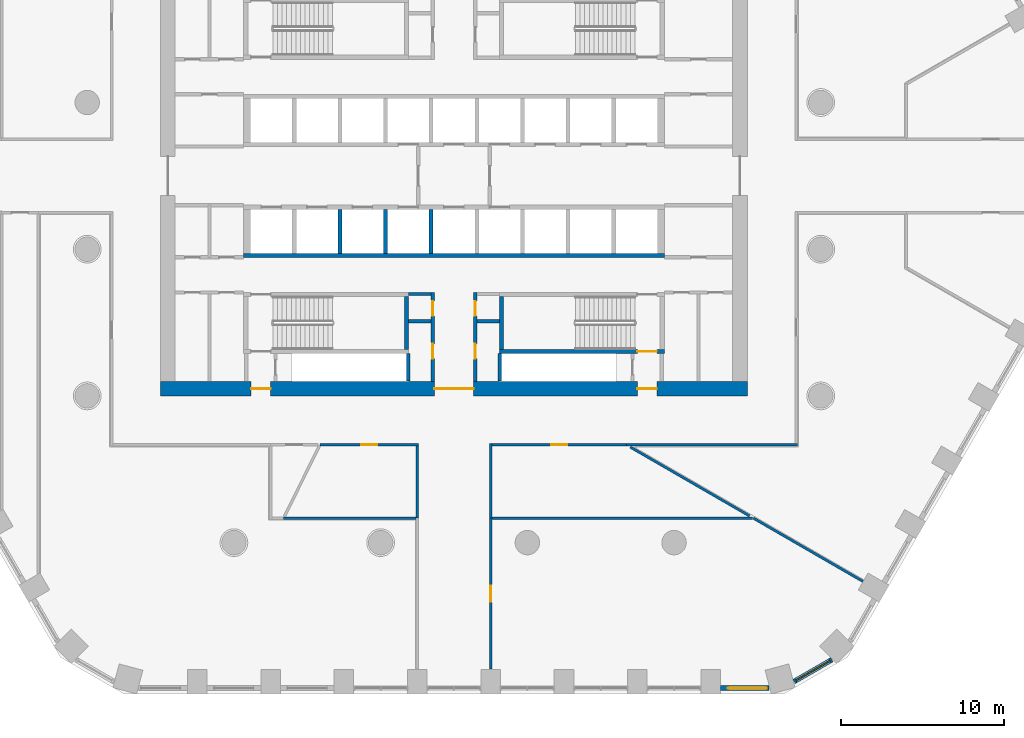
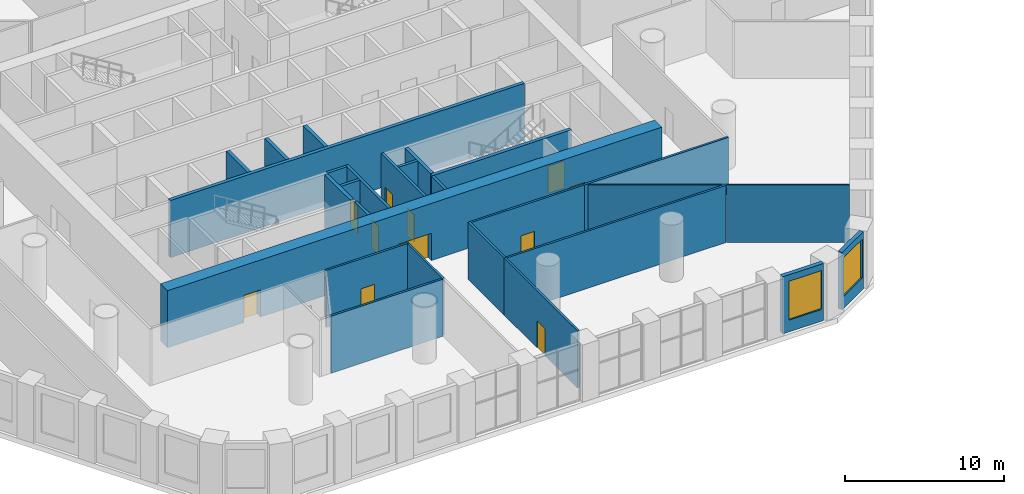
# One storey, part 8 of 21: 27 walls, 11 doors, 2 windows, 13 openings.
"""IFC4 building model written with IfcOpenShell, lengths in metres."""

from ifc_helpers import new_model, si_unit, direction, frame, frame_2d, origin, place, context, subcontext, project, spatial, polyline, rectangle, outline, extrude, material, layer, layer_set, type_object, element, fill, save


model = new_model("IFC4")

# Units and contexts
model_context = context("Model", 3, precision=1e-05, world=origin(), true_north=direction((0.0, 1.0)))
body_context = subcontext(model_context, "Body", "Model", "MODEL_VIEW")
ifc_project = project(units=[si_unit("LENGTHUNIT", "METRE"), si_unit("AREAUNIT", "SQUARE_METRE"), si_unit("VOLUMEUNIT", "CUBIC_METRE"), si_unit("PLANEANGLEUNIT", "RADIAN"), si_unit("MASSUNIT", "GRAM", prefix="KILO")], contexts=[model_context])

# Site, building, storey
site_placement = place(None, origin())
site = spatial("IfcSite", under=ifc_project, at=site_placement, CompositionType="ELEMENT")
building_placement = place(site_placement, origin())
building = spatial("IfcBuilding", under=site, at=building_placement, Name="Dhurran Vertical Campus", CompositionType="ELEMENT")
storey_placement = place(building_placement, frame((0.0, 0.0, 20.39990234375)))
storey = spatial("IfcBuildingStorey", under=building, at=storey_placement, Name="L04", CompositionType="ELEMENT", Elevation=20.39990234375)

# Wall, opening, window
ifc_material_1 = material(Name="Precast concrete C50/60", Category="concrete")
ifc_layer_1 = layer(ifc_material_1, 0.300048828125)
ifc_layer_set_1 = layer_set([ifc_layer_1], Name="Precast concrete C50/60")
wall_type_1 = type_object("IfcWallType", Name="Precast spandrel wall 300", PredefinedType="SOLIDWALL", material=ifc_layer_set_1)
wall_1_placement = place(storey_placement, frame((16.3505859375, -31.4296875, 0.0), z_axis=(0.0, 0.0, 1.0), x_axis=(1.0, 0.0, 0.0)))
wall_1 = element("IfcWall", 1, at=wall_1_placement, inside=storey, type_object=wall_type_1, Name="EW1 L04.08", PredefinedType="SOLIDWALL", context=body_context, shape_type="SweptSolid", body=[
    extrude(rectangle(XDim=2.98876953125, YDim=0.300048828125, at=frame_2d((1.494384765625, 0.0))), origin(), (0.0, 0.0, 1.0), 4.400146484375),
])
opening_1_placement = place(wall_1_placement, frame((0.449462890625, 0.0, 0.89990234375)))
opening_1 = element("IfcOpeningElement", 2, at=opening_1_placement, cuts=wall_1, Name="Opening WT2", PredefinedType="OPENING", context=body_context, shape_type="SweptSolid", body=[
    extrude(rectangle(XDim=2.39990234375, YDim=3.0, at=frame_2d((1.199951171875, 1.5))), frame((0.0, 0.159912109375, 0.0), z_axis=(0.0, -1.0, 0.0), x_axis=(1.0, 0.0, 0.0)), (0.0, 0.0, 1.0), 0.320068359375),
])
ifc_material_2 = material(Name="Aluminium frame with solar-control glass", Category="aluminium")
window_type = type_object("IfcWindowType", Name="Podium window 2400 x 3000", PartitioningType="SINGLE_PANEL", PredefinedType="WINDOW", material=ifc_material_2)
window_1_placement = place(opening_1_placement, origin())
window_1 = element("IfcWindow", 3, at=window_1_placement, inside=storey, type_object=window_type, Name="WT2 L04.08", OverallHeight=3.0, OverallWidth=2.39990234375, PartitioningType="SINGLE_PANEL", PredefinedType="WINDOW", context=body_context, shape_type="SweptSolid", body=[
    extrude(rectangle(XDim=2.39990234375, YDim=3.0, at=frame_2d((1.199951171875, 1.5))), frame((0.0, 0.030029296875, 0.0), z_axis=(0.0, -1.0, 0.0), x_axis=(1.0, 0.0, 0.0)), (0.0, 0.0, 1.0), 0.06005859375),
])
fill(opening_1, window_1)

wall_2_placement = place(storey_placement, frame((20.86376953125, -31.021240234375, 0.0), z_axis=(0.0, 0.0, 1.0), x_axis=(0.866001915448, 0.500040680786, 0.0)))
wall_2 = element("IfcWall", 4, at=wall_2_placement, inside=storey, type_object=wall_type_1, Name="EW1 L04.09", PredefinedType="SOLIDWALL", context=body_context, shape_type="SweptSolid", body=[
    extrude(rectangle(XDim=2.678466796875, YDim=0.300048828125, at=frame_2d((1.33935546875, 0.0))), origin(), (0.0, 0.0, 1.0), 4.400146484375),
])
opening_2_placement = place(wall_2_placement, frame((0.139404296875, 0.0, 0.89990234375)))
opening_2 = element("IfcOpeningElement", 5, at=opening_2_placement, cuts=wall_2, Name="Opening WT2", PredefinedType="OPENING", context=body_context, shape_type="SweptSolid", body=[
    extrude(rectangle(XDim=2.39990234375, YDim=3.0, at=frame_2d((1.199951171875, 1.5))), frame((0.0, 0.159912109375, 0.0), z_axis=(0.0, -1.0, 0.0), x_axis=(1.0, 0.0, 0.0)), (0.0, 0.0, 1.0), 0.320068359375),
])
window_2_placement = place(opening_2_placement, origin())
window_2 = element("IfcWindow", 6, at=window_2_placement, inside=storey, type_object=window_type, Name="WT2 L04.09", OverallHeight=3.0, OverallWidth=2.39990234375, PartitioningType="SINGLE_PANEL", PredefinedType="WINDOW", context=body_context, shape_type="SweptSolid", body=[
    extrude(rectangle(XDim=2.39990234375, YDim=3.0, at=frame_2d((1.199951171875, 1.5))), frame((0.0, 0.030029296875, 0.0), z_axis=(0.0, -1.0, 0.0), x_axis=(1.0, 0.0, 0.0)), (0.0, 0.0, 1.0), 0.06005859375),
])
fill(opening_2, window_2)

# Wall, openings, doors
ifc_material_3 = material(Name="Concrete C60/75", Category="concrete")
ifc_layer_2 = layer(ifc_material_3, 0.89990234375)
ifc_layer_set_2 = layer_set([ifc_layer_2], Name="Concrete C60/75")
wall_type_2 = type_object("IfcWallType", Name="co-CORE-WALL-C0-900", PredefinedType="SHEAR", material=ifc_layer_set_2)
wall_3_placement = place(storey_placement, frame((-18.0, -13.050048828125, 0.0), z_axis=(0.0, 0.0, 1.0), x_axis=(1.0, 0.0, 0.0)))
wall_3 = element("IfcWall", 7, at=wall_3_placement, inside=storey, type_object=wall_type_2, Name="Core wall S L04", PredefinedType="SHEAR", context=body_context, shape_type="SweptSolid", body=[
    extrude(rectangle(XDim=36.0, YDim=0.89990234375, at=frame_2d((18.0, 0.0))), origin(), (0.0, 0.0, 1.0), 4.400146484375),
])
opening_3_placement = place(wall_3_placement, frame((16.800048828125, 0.0, 0.0)))
opening_3 = element("IfcOpeningElement", 8, at=opening_3_placement, cuts=wall_3, Name="Opening CV2", PredefinedType="OPENING", context=body_context, shape_type="SweptSolid", body=[
    extrude(rectangle(XDim=2.39990234375, YDim=2.10009765625, at=frame_2d((1.199951171875, 1.050048828125))), frame((0.0, 0.4599609375, 0.0), z_axis=(0.0, -1.0, 0.0), x_axis=(1.0, 0.0, 0.0)), (0.0, 0.0, 1.0), 0.919921875),
])
opening_4_placement = place(wall_3_placement, frame((5.550048828125, 0.0, 0.0)))
opening_4 = element("IfcOpeningElement", 9, at=opening_4_placement, cuts=wall_3, Name="Opening XD3", PredefinedType="OPENING", context=body_context, shape_type="SweptSolid", body=[
    extrude(rectangle(XDim=1.199951171875, YDim=2.10009765625, at=frame_2d((0.60009765625, 1.050048828125))), frame((0.0, 0.4599609375, 0.0), z_axis=(0.0, -1.0, 0.0), x_axis=(1.0, 0.0, 0.0)), (0.0, 0.0, 1.0), 0.919921875),
])
opening_5_placement = place(wall_3_placement, frame((29.25, 0.0, 0.0)))
opening_5 = element("IfcOpeningElement", 10, at=opening_5_placement, cuts=wall_3, Name="Opening XD4", PredefinedType="OPENING", context=body_context, shape_type="SweptSolid", body=[
    extrude(rectangle(XDim=1.199951171875, YDim=2.10009765625, at=frame_2d((0.60009765625, 1.050048828125))), frame((0.0, 0.4599609375, 0.0), z_axis=(0.0, -1.0, 0.0), x_axis=(1.0, 0.0, 0.0)), (0.0, 0.0, 1.0), 0.919921875),
])
ifc_material_4 = material(Name="Fire-rated glazed door set")
door_type_1 = type_object("IfcDoorType", Name="co-D-LOBBY 2400x2100", OperationType="DOUBLE_DOOR_DOUBLE_SWING", PredefinedType="DOOR", material=ifc_material_4)
door_1_placement = place(opening_3_placement, origin())
door_1 = element("IfcDoor", 11, at=door_1_placement, inside=storey, type_object=door_type_1, Name="Core vestibule door S L04", OperationType="DOUBLE_DOOR_DOUBLE_SWING", OverallHeight=2.10009765625, OverallWidth=2.39990234375, PredefinedType="DOOR", context=body_context, shape_type="SweptSolid", body=[
    extrude(rectangle(XDim=2.39990234375, YDim=2.10009765625, at=frame_2d((1.199951171875, 1.050048828125))), frame((0.0, 0.02490234375, 0.0), z_axis=(0.0, -1.0, 0.0), x_axis=(1.0, 0.0, 0.0)), (0.0, 0.0, 1.0), 0.050048828125),
])
fill(opening_3, door_1)
ifc_material_5 = material(Name="Fire-rated steel door set", Category="steel")
door_type_2 = type_object("IfcDoorType", Name="co-D-STAIR-EXIT 1200x2100", OperationType="SINGLE_SWING_RIGHT", PredefinedType="DOOR", material=ifc_material_5)
door_2_placement = place(opening_4_placement, origin())
door_2 = element("IfcDoor", 12, at=door_2_placement, inside=storey, type_object=door_type_2, Name="Stair ST3 exit door L04", OperationType="SINGLE_SWING_RIGHT", OverallHeight=2.10009765625, OverallWidth=1.199951171875, PredefinedType="DOOR", context=body_context, shape_type="SweptSolid", body=[
    extrude(rectangle(XDim=1.199951171875, YDim=2.10009765625, at=frame_2d((0.60009765625, 1.050048828125))), frame((0.0, 0.02490234375, 0.0), z_axis=(0.0, -1.0, 0.0), x_axis=(1.0, 0.0, 0.0)), (0.0, 0.0, 1.0), 0.050048828125),
])
fill(opening_4, door_2)
door_3_placement = place(opening_5_placement, origin())
door_3 = element("IfcDoor", 13, at=door_3_placement, inside=storey, type_object=door_type_2, Name="Stair ST4 exit door L04", OperationType="SINGLE_SWING_RIGHT", OverallHeight=2.10009765625, OverallWidth=1.199951171875, PredefinedType="DOOR", context=body_context, shape_type="SweptSolid", body=[
    extrude(rectangle(XDim=1.199951171875, YDim=2.10009765625, at=frame_2d((0.60009765625, 1.050048828125))), frame((0.0, 0.02490234375, 0.0), z_axis=(0.0, -1.0, 0.0), x_axis=(1.0, 0.0, 0.0)), (0.0, 0.0, 1.0), 0.050048828125),
])
fill(opening_5, door_3)

# Walls
ifc_material_6 = material(Name="Fire-rated masonry blockwork", Category="masonry")
ifc_layer_3 = layer(ifc_material_6, 0.199951171875)
ifc_layer_set_3 = layer_set([ifc_layer_3], Name="Fire-rated masonry blockwork")
wall_type_3 = type_object("IfcWallType", Name="co-FIRE-PARTITION-200", PredefinedType="PARTITIONING", material=ifc_layer_set_3)
for number, where, z_axis, x_axis, name in (
    (14, (-2.800048828125, -7.25, 0.0), (0.0, 0.0, 1.0), (1.0, 0.0, 0.0), "Core partition sl-SW-S L04"),
    (15, (-2.800048828125, -8.925048828125, 0.0), (0.0, 0.0, 1.0), (1.0, 0.0, 0.0), "Core partition sl-SW-cut0 L04"),
    (16, (1.39990234375, -8.925048828125, 0.0), (0.0, 0.0, 1.0), (1.0, 0.0, 0.0), "Core partition sl-SE-cut0 L04"),
):
    element("IfcWall", number, at=place(storey_placement, frame(where, z_axis=z_axis, x_axis=x_axis)), inside=storey, type_object=wall_type_3, Name=name, PredefinedType="PARTITIONING", context=body_context, shape_type="SweptSolid", body=[
        extrude(rectangle(XDim=1.400146484375, YDim=0.199951171875, at=frame_2d((0.7001953125, 0.0))), origin(), (0.0, 0.0, 1.0), 4.400146484375),
    ])

# Wall, openings, doors
wall_4_placement = place(storey_placement, frame((-1.300048828125, -12.60009765625, 0.0), z_axis=(0.0, 0.0, 1.0), x_axis=(0.0, 1.0, 0.0)))
wall_4 = element("IfcWall", 17, at=wall_4_placement, inside=storey, type_object=wall_type_3, Name="Core partition vest-SW L04", PredefinedType="PARTITIONING", context=body_context, shape_type="SweptSolid", body=[
    extrude(rectangle(XDim=5.4501953125, YDim=0.199951171875, at=frame_2d((2.72509765625, 0.0))), origin(), (0.0, 0.0, 1.0), 4.400146484375),
])
opening_6_placement = place(wall_4_placement, frame((1.387451171875, 0.0, 0.0)))
opening_6 = element("IfcOpeningElement", 18, at=opening_6_placement, cuts=wall_4, Name="Opening PD04-C1", PredefinedType="OPENING", context=body_context, shape_type="SweptSolid", body=[
    extrude(rectangle(XDim=0.89990234375, YDim=2.10009765625, at=frame_2d((0.449951171875, 1.050048828125))), frame((0.0, 0.10986328125, 0.0), z_axis=(0.0, -1.0, 0.0), x_axis=(1.0, 0.0, 0.0)), (0.0, 0.0, 1.0), 0.219970703125),
])
opening_7_placement = place(wall_4_placement, frame((4.012451171875, 0.0, 0.0)))
opening_7 = element("IfcOpeningElement", 19, at=opening_7_placement, cuts=wall_4, Name="Opening PD04-C2", PredefinedType="OPENING", context=body_context, shape_type="SweptSolid", body=[
    extrude(rectangle(XDim=0.89990234375, YDim=2.10009765625, at=frame_2d((0.449951171875, 1.050048828125))), frame((0.0, 0.10986328125, 0.0), z_axis=(0.0, -1.0, 0.0), x_axis=(1.0, 0.0, 0.0)), (0.0, 0.0, 1.0), 0.219970703125),
])
ifc_material_7 = material(Name="Fire-rated timber door set", Category="wood")
door_type_3 = type_object("IfcDoorType", Name="co-D-ROOM 900x2100", OperationType="SINGLE_SWING_LEFT", PredefinedType="DOOR", material=ifc_material_7)
door_4_placement = place(opening_6_placement, origin())
door_4 = element("IfcDoor", 20, at=door_4_placement, inside=storey, type_object=door_type_3, Name="Housekeeping store door L04", OperationType="SINGLE_SWING_LEFT", OverallHeight=2.10009765625, OverallWidth=0.89990234375, PredefinedType="DOOR", context=body_context, shape_type="SweptSolid", body=[
    extrude(rectangle(XDim=0.89990234375, YDim=2.10009765625, at=frame_2d((0.449951171875, 1.050048828125))), frame((0.0, 0.02490234375, 0.0), z_axis=(0.0, -1.0, 0.0), x_axis=(1.0, 0.0, 0.0)), (0.0, 0.0, 1.0), 0.050048828125),
])
fill(opening_6, door_4)
door_5_placement = place(opening_7_placement, origin())
door_5 = element("IfcDoor", 21, at=door_5_placement, inside=storey, type_object=door_type_3, Name="Electrical riser door L04", OperationType="SINGLE_SWING_LEFT", OverallHeight=2.10009765625, OverallWidth=0.89990234375, PredefinedType="DOOR", context=body_context, shape_type="SweptSolid", body=[
    extrude(rectangle(XDim=0.89990234375, YDim=2.10009765625, at=frame_2d((0.449951171875, 1.050048828125))), frame((0.0, 0.02490234375, 0.0), z_axis=(0.0, -1.0, 0.0), x_axis=(1.0, 0.0, 0.0)), (0.0, 0.0, 1.0), 0.050048828125),
])
fill(opening_7, door_5)

wall_5_placement = place(storey_placement, frame((1.300048828125, -12.60009765625, 0.0), z_axis=(0.0, 0.0, 1.0), x_axis=(0.0, 1.0, 0.0)))
wall_5 = element("IfcWall", 22, at=wall_5_placement, inside=storey, type_object=wall_type_3, Name="Core partition vest-SE L04", PredefinedType="PARTITIONING", context=body_context, shape_type="SweptSolid", body=[
    extrude(rectangle(XDim=5.4501953125, YDim=0.199951171875, at=frame_2d((2.72509765625, 0.0))), origin(), (0.0, 0.0, 1.0), 4.400146484375),
])
opening_8_placement = place(wall_5_placement, frame((1.387451171875, 0.0, 0.0)))
opening_8 = element("IfcOpeningElement", 23, at=opening_8_placement, cuts=wall_5, Name="Opening PD04-C3", PredefinedType="OPENING", context=body_context, shape_type="SweptSolid", body=[
    extrude(rectangle(XDim=0.89990234375, YDim=2.10009765625, at=frame_2d((0.449951171875, 1.050048828125))), frame((0.0, 0.10986328125, 0.0), z_axis=(0.0, -1.0, 0.0), x_axis=(1.0, 0.0, 0.0)), (0.0, 0.0, 1.0), 0.219970703125),
])
opening_9_placement = place(wall_5_placement, frame((4.012451171875, 0.0, 0.0)))
opening_9 = element("IfcOpeningElement", 24, at=opening_9_placement, cuts=wall_5, Name="Opening PD04-C4", PredefinedType="OPENING", context=body_context, shape_type="SweptSolid", body=[
    extrude(rectangle(XDim=0.89990234375, YDim=2.10009765625, at=frame_2d((0.449951171875, 1.050048828125))), frame((0.0, 0.10986328125, 0.0), z_axis=(0.0, -1.0, 0.0), x_axis=(1.0, 0.0, 0.0)), (0.0, 0.0, 1.0), 0.219970703125),
])
door_6_placement = place(opening_8_placement, origin())
door_6 = element("IfcDoor", 25, at=door_6_placement, inside=storey, type_object=door_type_3, Name="Waste room door L04", OperationType="SINGLE_SWING_LEFT", OverallHeight=2.10009765625, OverallWidth=0.89990234375, PredefinedType="DOOR", context=body_context, shape_type="SweptSolid", body=[
    extrude(rectangle(XDim=0.89990234375, YDim=2.10009765625, at=frame_2d((0.449951171875, 1.050048828125))), frame((0.0, 0.02490234375, 0.0), z_axis=(0.0, -1.0, 0.0), x_axis=(1.0, 0.0, 0.0)), (0.0, 0.0, 1.0), 0.050048828125),
])
fill(opening_8, door_6)
door_7_placement = place(opening_9_placement, origin())
door_7 = element("IfcDoor", 26, at=door_7_placement, inside=storey, type_object=door_type_3, Name="Cleaner's store door L04", OperationType="SINGLE_SWING_LEFT", OverallHeight=2.10009765625, OverallWidth=0.89990234375, PredefinedType="DOOR", context=body_context, shape_type="SweptSolid", body=[
    extrude(rectangle(XDim=0.89990234375, YDim=2.10009765625, at=frame_2d((0.449951171875, 1.050048828125))), frame((0.0, 0.02490234375, 0.0), z_axis=(0.0, -1.0, 0.0), x_axis=(1.0, 0.0, 0.0)), (0.0, 0.0, 1.0), 0.050048828125),
])
fill(opening_9, door_7)

# Walls
for number, where, z_axis, x_axis, name in (
    (27, (-2.800048828125, -12.59912109375, 0.0), (0.0, 0.0, 1.0), (0.0, 1.0, 0.0), "Riser enclosure wall L04"),
    (28, (2.800048828125, -10.90087890625, 0.0), (0.0, 0.0, 1.0), (0.0, -1.0, 0.0), "Riser enclosure wall L04"),
):
    element("IfcWall", number, at=place(storey_placement, frame(where, z_axis=z_axis, x_axis=x_axis)), inside=storey, type_object=wall_type_3, Name=name, PredefinedType="PARTITIONING", context=body_context, shape_type="SweptSolid", body=[
        extrude(rectangle(XDim=1.6982421875, YDim=0.199951171875, at=frame_2d((0.84912109375, 0.0))), origin(), (0.0, 0.0, 1.0), 4.400146484375),
    ])
ifc_material_8 = material(Name="Concrete C50/60", Category="concrete")
ifc_layer_4 = layer(ifc_material_8, 0.25)
ifc_layer_set_4 = layer_set([ifc_layer_4], Name="Concrete C50/60")
wall_type_4 = type_object("IfcWallType", Name="co-SHAFT-MASS-250", PredefinedType="SHEAR", material=ifc_layer_set_4)
wall_6_placement = place(storey_placement, origin())
element("IfcWall", 29, at=wall_6_placement, inside=storey, type_object=wall_type_4, Name="Lift shaft wall S L04 1", PredefinedType="SHEAR", context=body_context, shape_type="SweptSolid", body=[
    extrude(outline(polyline([(-12.89990234375, -5.0), (12.89990234375, -5.0), (12.89990234375, -4.75), (-12.89990234375, -4.75), (-12.89990234375, -5.0)])), origin(), (0.0, 0.0, 1.0), 4.400146484375),
])
wall_7_placement = place(storey_placement, origin())
element("IfcWall", 30, at=wall_7_placement, inside=storey, type_object=wall_type_4, Name="Lift shaft wall S L04 4", PredefinedType="SHEAR", context=body_context, shape_type="SweptSolid", body=[
    extrude(outline(polyline([(-7.125, -4.75), (-6.875, -4.75), (-6.875, -2.050048828125), (-7.125, -2.050048828125), (-7.125, -4.75)])), origin(), (0.0, 0.0, 1.0), 4.400146484375),
])
wall_8_placement = place(storey_placement, origin())
element("IfcWall", 31, at=wall_8_placement, inside=storey, type_object=wall_type_4, Name="Lift shaft wall S L04 5", PredefinedType="SHEAR", context=body_context, shape_type="SweptSolid", body=[
    extrude(outline(polyline([(-4.324951171875, -4.75), (-4.074951171875, -4.75), (-4.074951171875, -2.050048828125), (-4.324951171875, -2.050048828125), (-4.324951171875, -4.75)])), origin(), (0.0, 0.0, 1.0), 4.400146484375),
])
wall_9_placement = place(storey_placement, origin())
element("IfcWall", 32, at=wall_9_placement, inside=storey, type_object=wall_type_4, Name="Lift shaft wall S L04 6", PredefinedType="SHEAR", context=body_context, shape_type="SweptSolid", body=[
    extrude(outline(polyline([(-1.52490234375, -4.75), (-1.27490234375, -4.75), (-1.27490234375, -2.050048828125), (-1.52490234375, -2.050048828125), (-1.52490234375, -4.75)])), origin(), (0.0, 0.0, 1.0), 4.400146484375),
])
ifc_material_9 = material(Name="Concrete C40/50", Category="concrete")
ifc_layer_5 = layer(ifc_material_9, 0.25)
ifc_layer_set_5 = layer_set([ifc_layer_5], Name="Concrete C40/50")
wall_type_5 = type_object("IfcWallType", Name="co-STAIR-WALL-250", PredefinedType="SHEAR", material=ifc_layer_set_5)
wall_10_placement = place(storey_placement, frame((-2.925048828125, -10.64990234375, 0.0), z_axis=(0.0, 0.0, 1.0), x_axis=(0.0, 1.0, 0.0)))
element("IfcWall", 33, at=wall_10_placement, inside=storey, type_object=wall_type_5, Name="Stair ST3 enclosure wall L04", PredefinedType="SHEAR", context=body_context, shape_type="SweptSolid", body=[
    extrude(rectangle(XDim=3.25, YDim=0.25, at=frame_2d((1.625, 0.0))), origin(), (0.0, 0.0, 1.0), 4.400146484375),
])

# Wall, opening, door
wall_11_placement = place(storey_placement, frame((2.800048828125, -10.77490234375, 0.0), z_axis=(0.0, 0.0, 1.0), x_axis=(1.0, 0.0, 0.0)))
wall_11 = element("IfcWall", 34, at=wall_11_placement, inside=storey, type_object=wall_type_5, Name="Stair ST4 enclosure wall L04", PredefinedType="SHEAR", context=body_context, shape_type="SweptSolid", body=[
    extrude(rectangle(XDim=10.099853515625, YDim=0.25, at=frame_2d((5.0498046875, 0.0))), origin(), (0.0, 0.0, 1.0), 4.400146484375),
])
opening_10_placement = place(wall_11_placement, frame((8.449951171875, 0.0, 0.0)))
opening_10 = element("IfcOpeningElement", 35, at=opening_10_placement, cuts=wall_11, Name="Opening XS4", PredefinedType="OPENING", context=body_context, shape_type="SweptSolid", body=[
    extrude(rectangle(XDim=1.199951171875, YDim=2.10009765625, at=frame_2d((0.60009765625, 1.050048828125))), frame((0.0, 0.135009765625, 0.0), z_axis=(0.0, -1.0, 0.0), x_axis=(1.0, 0.0, 0.0)), (0.0, 0.0, 1.0), 0.27001953125),
])
door_8_placement = place(opening_10_placement, origin())
door_8 = element("IfcDoor", 36, at=door_8_placement, inside=storey, type_object=door_type_2, Name="Stair ST4 discharge door L04", OperationType="SINGLE_SWING_RIGHT", OverallHeight=2.10009765625, OverallWidth=1.199951171875, PredefinedType="DOOR", context=body_context, shape_type="SweptSolid", body=[
    extrude(rectangle(XDim=1.199951171875, YDim=2.10009765625, at=frame_2d((0.60009765625, 1.050048828125))), frame((0.0, 0.02490234375, 0.0), z_axis=(0.0, -1.0, 0.0), x_axis=(1.0, 0.0, 0.0)), (0.0, 0.0, 1.0), 0.050048828125),
])
fill(opening_10, door_8)

# Wall
wall_12_placement = place(storey_placement, frame((2.925048828125, -10.64990234375, 0.0), z_axis=(0.0, 0.0, 1.0), x_axis=(0.0, 1.0, 0.0)))
element("IfcWall", 37, at=wall_12_placement, inside=storey, type_object=wall_type_5, Name="Stair ST4 enclosure wall L04", PredefinedType="SHEAR", context=body_context, shape_type="SweptSolid", body=[
    extrude(rectangle(XDim=3.25, YDim=0.25, at=frame_2d((1.625, 0.0))), origin(), (0.0, 0.0, 1.0), 4.400146484375),
])

# Wall, opening, door
ifc_material_10 = material(Name="Gypsum board corridor wall on steel studs", Category="steel")
ifc_layer_6 = layer(ifc_material_10, 0.14990234375)
ifc_layer_set_6 = layer_set([ifc_layer_6], Name="Gypsum board corridor wall on steel studs")
wall_type_6 = type_object("IfcWallType", Name="fl-CW-150 corridor wall", PredefinedType="PARTITIONING", material=ifc_layer_set_6)
wall_13_placement = place(storey_placement, frame((-8.218017578125, -16.5, 0.0), z_axis=(0.0, 0.0, 1.0), x_axis=(1.0, 0.0, 0.0)))
wall_13 = element("IfcWall", 38, at=wall_13_placement, inside=storey, type_object=wall_type_6, Name="Partition 04-20", PredefinedType="PARTITIONING", context=body_context, shape_type="SweptSolid", body=[
    extrude(rectangle(XDim=6.04296875, YDim=0.14990234375, at=frame_2d((3.021484375, 0.0))), origin(), (0.0, 0.0, 1.0), 4.400146484375),
])
opening_11_placement = place(wall_13_placement, frame((2.521484375, 0.0, 0.0)))
opening_11 = element("IfcOpeningElement", 39, at=opening_11_placement, cuts=wall_13, Name="Opening PD04.08", PredefinedType="OPENING", context=body_context, shape_type="SweptSolid", body=[
    extrude(rectangle(XDim=1.0, YDim=2.10009765625, at=frame_2d((0.5, 1.050048828125))), frame((0.0, 0.0849609375, 0.0), z_axis=(0.0, -1.0, 0.0), x_axis=(1.0, 0.0, 0.0)), (0.0, 0.0, 1.0), 0.169921875),
])
ifc_material_11 = material(Name="Solid-core timber door set, fire-rated", Category="wood")
door_type_4 = type_object("IfcDoorType", Name="fl-D-1000x2100", OperationType="SINGLE_SWING_LEFT", PredefinedType="DOOR", material=ifc_material_11)
door_9_placement = place(opening_11_placement, origin())
door_9 = element("IfcDoor", 40, at=door_9_placement, inside=storey, type_object=door_type_4, Name="Door 04.08", OperationType="SINGLE_SWING_RIGHT", OverallHeight=2.10009765625, OverallWidth=1.0, PredefinedType="DOOR", context=body_context, shape_type="SweptSolid", body=[
    extrude(rectangle(XDim=1.0, YDim=2.10009765625, at=frame_2d((0.5, 1.050048828125))), frame((0.0, 0.02490234375, 0.0), z_axis=(0.0, -1.0, 0.0), x_axis=(1.0, 0.0, 0.0)), (0.0, 0.0, 1.0), 0.050048828125),
])
fill(opening_11, door_9)

# Wall
wall_14_placement = place(storey_placement, frame((-2.25, -21.0, 0.0), z_axis=(0.0, 0.0, 1.0), x_axis=(0.0, 1.0, 0.0)))
element("IfcWall", 41, at=wall_14_placement, inside=storey, type_object=wall_type_6, Name="Partition 04-24", PredefinedType="PARTITIONING", context=body_context, shape_type="SweptSolid", body=[
    extrude(rectangle(XDim=4.425048828125, YDim=0.14990234375, at=frame_2d((2.21240234375, 0.0))), origin(), (0.0, 0.0, 1.0), 4.400146484375),
])

# Wall, opening, door
wall_15_placement = place(storey_placement, frame((2.25, -21.0, 0.0), z_axis=(0.0, 0.0, 1.0), x_axis=(0.0, -1.0, 0.0)))
wall_15 = element("IfcWall", 42, at=wall_15_placement, inside=storey, type_object=wall_type_6, Name="Partition 04-25", PredefinedType="PARTITIONING", context=body_context, shape_type="SweptSolid", body=[
    extrude(rectangle(XDim=9.259765625, YDim=0.14990234375, at=frame_2d((4.6298828125, 0.0))), origin(), (0.0, 0.0, 1.0), 4.400146484375),
])
opening_12_placement = place(wall_15_placement, frame((4.1298828125, 0.0, 0.0)))
opening_12 = element("IfcOpeningElement", 43, at=opening_12_placement, cuts=wall_15, Name="Opening PD04.11", PredefinedType="OPENING", context=body_context, shape_type="SweptSolid", body=[
    extrude(rectangle(XDim=1.0, YDim=2.10009765625, at=frame_2d((0.5, 1.050048828125))), frame((0.0, 0.0849609375, 0.0), z_axis=(0.0, -1.0, 0.0), x_axis=(1.0, 0.0, 0.0)), (0.0, 0.0, 1.0), 0.169921875),
])
door_10_placement = place(opening_12_placement, origin())
door_10 = element("IfcDoor", 44, at=door_10_placement, inside=storey, type_object=door_type_4, Name="Door 04.11", OperationType="SINGLE_SWING_LEFT", OverallHeight=2.10009765625, OverallWidth=1.0, PredefinedType="DOOR", context=body_context, shape_type="SweptSolid", body=[
    extrude(rectangle(XDim=1.0, YDim=2.10009765625, at=frame_2d((0.5, 1.050048828125))), frame((0.0, 0.02490234375, 0.0), z_axis=(0.0, -1.0, 0.0), x_axis=(1.0, 0.0, 0.0)), (0.0, 0.0, 1.0), 0.050048828125),
])
fill(opening_12, door_10)

# Wall
wall_16_placement = place(storey_placement, frame((2.25, -16.425048828125, 0.0), z_axis=(0.0, 0.0, 1.0), x_axis=(0.0, -1.0, 0.0)))
element("IfcWall", 45, at=wall_16_placement, inside=storey, type_object=wall_type_6, Name="Partition 04-26", PredefinedType="PARTITIONING", context=body_context, shape_type="SweptSolid", body=[
    extrude(rectangle(XDim=4.574951171875, YDim=0.14990234375, at=frame_2d((2.28759765625, 0.0))), origin(), (0.0, 0.0, 1.0), 4.400146484375),
])

# Wall, opening, door
wall_17_placement = place(storey_placement, frame((2.324951171875, -16.5, 0.0), z_axis=(0.0, 0.0, 1.0), x_axis=(1.0, 0.0, 0.0)))
wall_17 = element("IfcWall", 46, at=wall_17_placement, inside=storey, type_object=wall_type_6, Name="Partition 04-28", PredefinedType="PARTITIONING", context=body_context, shape_type="SweptSolid", body=[
    extrude(rectangle(XDim=8.254150390625, YDim=0.14990234375, at=frame_2d((4.126953125, 0.0))), origin(), (0.0, 0.0, 1.0), 4.400146484375),
])
opening_13_placement = place(wall_17_placement, frame((3.626953125, 0.0, 0.0)))
opening_13 = element("IfcOpeningElement", 47, at=opening_13_placement, cuts=wall_17, Name="Opening PD04.10", PredefinedType="OPENING", context=body_context, shape_type="SweptSolid", body=[
    extrude(rectangle(XDim=1.0, YDim=2.10009765625, at=frame_2d((0.5, 1.050048828125))), frame((0.0, 0.0849609375, 0.0), z_axis=(0.0, -1.0, 0.0), x_axis=(1.0, 0.0, 0.0)), (0.0, 0.0, 1.0), 0.169921875),
])
door_11_placement = place(opening_13_placement, origin())
door_11 = element("IfcDoor", 48, at=door_11_placement, inside=storey, type_object=door_type_4, Name="Door 04.10", OperationType="SINGLE_SWING_RIGHT", OverallHeight=2.10009765625, OverallWidth=1.0, PredefinedType="DOOR", context=body_context, shape_type="SweptSolid", body=[
    extrude(rectangle(XDim=1.0, YDim=2.10009765625, at=frame_2d((0.5, 1.050048828125))), frame((0.0, 0.02490234375, 0.0), z_axis=(0.0, -1.0, 0.0), x_axis=(1.0, 0.0, 0.0)), (0.0, 0.0, 1.0), 0.050048828125),
])
fill(opening_13, door_11)

# Walls
wall_18_placement = place(storey_placement, frame((10.5791015625, -16.5, 0.0), z_axis=(0.0, 0.0, 1.0), x_axis=(1.0, 0.0, 0.0)))
element("IfcWall", 49, at=wall_18_placement, inside=storey, type_object=wall_type_6, Name="Partition 04-30", PredefinedType="PARTITIONING", context=body_context, shape_type="SweptSolid", body=[
    extrude(rectangle(XDim=10.495849609375, YDim=0.14990234375, at=frame_2d((5.248046875, 0.0))), origin(), (0.0, 0.0, 1.0), 4.400146484375),
])
ifc_material_12 = material(Name="Gypsum board partition on steel studs", Category="steel")
ifc_layer_7 = layer(ifc_material_12, 0.14990234375)
ifc_layer_set_7 = layer_set([ifc_layer_7], Name="Gypsum board partition on steel studs")
wall_type_7 = type_object("IfcWallType", Name="fl-PW-150 fixed partition", PredefinedType="PARTITIONING", material=ifc_layer_set_7)
wall_19_placement = place(storey_placement, frame((-10.4609375, -21.0, 0.0), z_axis=(0.0, 0.0, 1.0), x_axis=(1.0, 0.0, 0.0)))
element("IfcWall", 50, at=wall_19_placement, inside=storey, type_object=wall_type_7, Name="Partition 04-19", PredefinedType="PARTITIONING", context=body_context, shape_type="SweptSolid", body=[
    extrude(rectangle(XDim=8.135986328125, YDim=0.14990234375, at=frame_2d((4.06787109375, 0.0))), origin(), (0.0, 0.0, 1.0), 4.400146484375),
])
wall_20_placement = place(storey_placement, frame((18.298095703125, -21.0, 0.0), z_axis=(0.0, 0.0, 1.0), x_axis=(-1.0, 0.0, 0.0)))
element("IfcWall", 51, at=wall_20_placement, inside=storey, type_object=wall_type_7, Name="Partition 04-27", PredefinedType="PARTITIONING", context=body_context, shape_type="SweptSolid", body=[
    extrude(rectangle(XDim=15.97314453125, YDim=0.14990234375, at=frame_2d((7.986572265625, 0.0))), origin(), (0.0, 0.0, 1.0), 4.400146484375),
])
wall_21_placement = place(storey_placement, frame((10.817138671875, -16.637451171875, 0.0), z_axis=(0.0, 0.0, 1.0), x_axis=(0.866011886744, -0.50002341147, 0.0)))
element("IfcWall", 52, at=wall_21_placement, inside=storey, type_object=wall_type_7, Name="Partition 04-29", PredefinedType="PARTITIONING", context=body_context, shape_type="SweptSolid", body=[
    extrude(rectangle(XDim=8.44970703125, YDim=0.14990234375, at=frame_2d((4.224853515625, 0.0))), origin(), (0.0, 0.0, 1.0), 4.400146484375),
])
wall_22_placement = place(storey_placement, frame((18.373046875, -21.0, 0.0), z_axis=(0.0, 0.0, 1.0), x_axis=(0.865999760466, -0.500044412901, 0.0)))
element("IfcWall", 53, at=wall_22_placement, inside=storey, type_object=wall_type_7, Name="Partition 04-33", PredefinedType="PARTITIONING", context=body_context, shape_type="SweptSolid", body=[
    extrude(rectangle(XDim=7.745361328125, YDim=0.14990234375, at=frame_2d((3.87255859375, 0.0))), origin(), (0.0, 0.0, 1.0), 4.400146484375),
])

save(model, "model.ifc")
